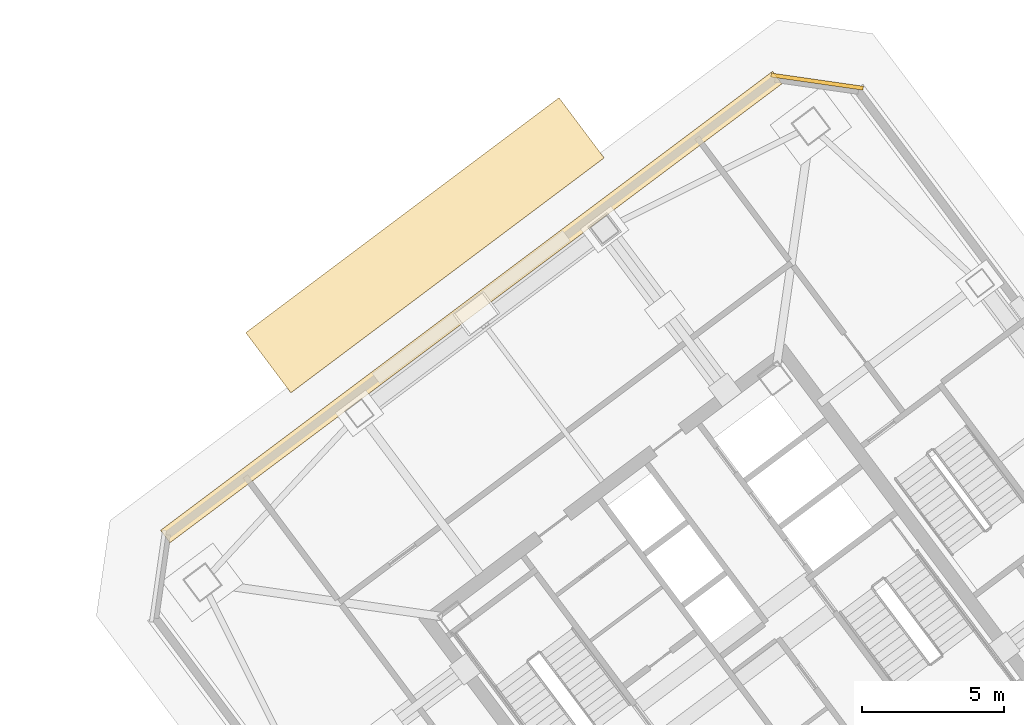
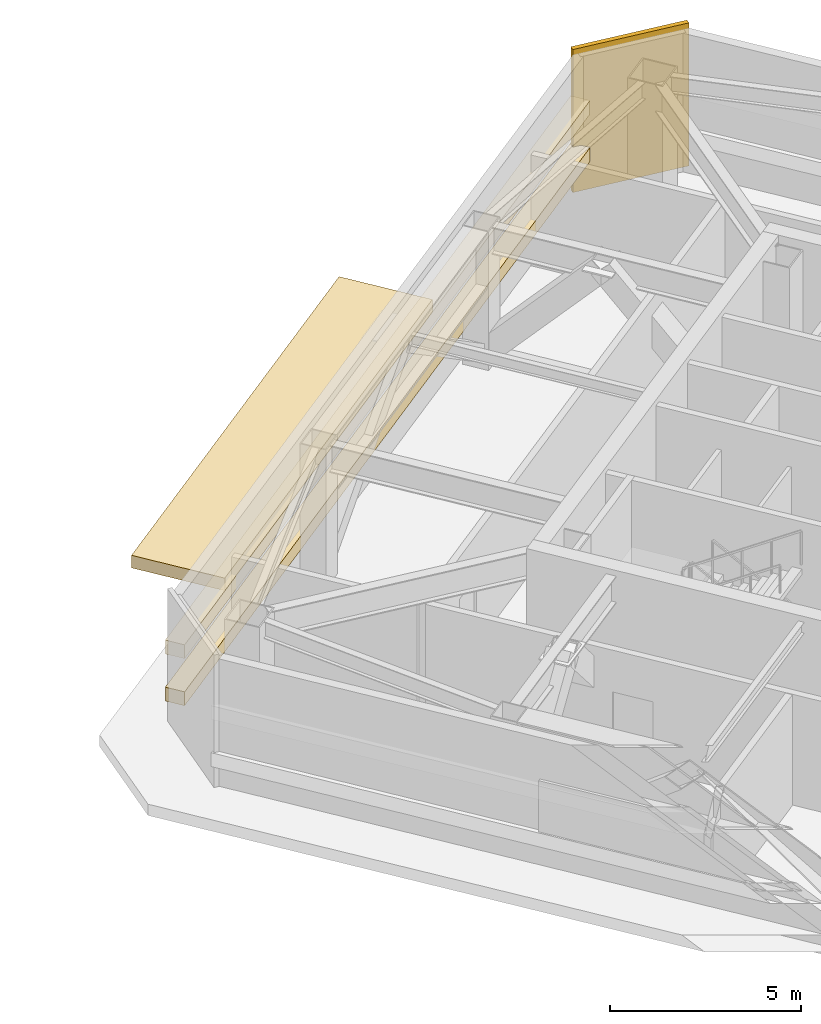
# One storey, part 15 of 15: 4 coverings.
"""IFC4 building model written with IfcOpenShell, lengths in metres."""

from ifc_helpers import new_model, si_unit, direction, frame, origin, origin_2d, place, context, subcontext, project, spatial, rectangle, extrude, material, layer, layer_set, type_object, element, save


model = new_model("IFC4")

# Units and contexts
model_context = context("Model", 3, precision=1e-05, world=origin(), true_north=direction((0.0, 1.0)))
body_context = subcontext(model_context, "Body", "Model", "MODEL_VIEW")
ifc_project = project(units=[si_unit("LENGTHUNIT", "METRE"), si_unit("AREAUNIT", "SQUARE_METRE"), si_unit("VOLUMEUNIT", "CUBIC_METRE"), si_unit("PLANEANGLEUNIT", "RADIAN"), si_unit("MASSUNIT", "GRAM", prefix="KILO")], contexts=[model_context])

# Site, building, storey
site_placement = place(None, origin())
site = spatial("IfcSite", under=ifc_project, at=site_placement, CompositionType="ELEMENT")
building_placement = place(site_placement, origin())
building = spatial("IfcBuilding", under=site, at=building_placement, Name="Tashvorn Skyway Center", CompositionType="ELEMENT")
storey_placement = place(building_placement, frame((0.0, 0.0, 199.60009765625)))
storey = spatial("IfcBuildingStorey", under=building, at=storey_placement, Name="L54", CompositionType="ELEMENT", Elevation=199.60009765625)

# Coverings
ifc_material_1 = material(Name="Perforated ceramic-coated bronze aluminium solar screen", Category="aluminium")
ifc_layer_1 = layer(ifc_material_1, 0.85009765625)
ifc_layer_set_1 = layer_set([ifc_layer_1], Name="Perforated ceramic-coated bronze aluminium solar screen")
covering_type_1 = type_object("IfcCoveringType", Name="COV-SOLAR-BAND", PredefinedType="CLADDING", material=ifc_layer_set_1)
for number, where, z_axis, x_axis, name in (
    (1, (104.7119140625, 44.384033203125, 1.030029296875), (0.0, 0.0, 1.0), (0.799999996291, 0.600000004945, 0.0), "Tower 2 L54 North Belt Acoustic Louvre Band 1"),
    (2, (104.7119140625, 44.384033203125, 2.530029296875), (0.0, 0.0, 1.0), (0.799999996291, 0.600000004945, 0.0), "Tower 2 L54 North Belt Acoustic Louvre Band 2"),
):
    element("IfcCovering", number, at=place(storey_placement, frame(where, z_axis=z_axis, x_axis=x_axis)), inside=storey, type_object=covering_type_1, Name=name, PredefinedType="CLADDING", context=body_context, shape_type="SweptSolid", body=[
        extrude(rectangle(XDim=26.9599609375, YDim=0.550048828125, at=origin_2d()), origin(), (0.0, 0.0, 1.0), 0.43994140625),
    ])
ifc_material_2 = material(Name="Precast concrete C40/50", Category="concrete")
ifc_layer_2 = layer(ifc_material_2, 0.35009765625)
ifc_layer_set_2 = layer_set([ifc_layer_2], Name="Precast concrete C40/50")
covering_type_2 = type_object("IfcCoveringType", Name="COV-STONE-TRIM", PredefinedType="CLADDING", material=ifc_layer_set_2)
covering_1_placement = place(storey_placement, frame((103.080078125, 46.56005859375, 0.0), z_axis=(0.0, 0.0, 1.0), x_axis=(0.799999996291, 0.600000004945, 0.0)))
element("IfcCovering", 3, at=covering_1_placement, inside=storey, type_object=covering_type_2, Name="Tower 2 L53 Sky Garden Terracotta Canopy Hood", PredefinedType="CLADDING", context=body_context, shape_type="SweptSolid", body=[
    extrude(rectangle(XDim=13.800048828125, YDim=2.64990234375, at=origin_2d()), origin(), (0.0, 0.0, 1.0), 0.39990234375),
])
covering_2_placement = place(storey_placement, frame((116.904052734375, 52.327880859375, 0.019775390625), z_axis=(0.0, 0.0, 1.0), x_axis=(0.989949494535, -0.141421350118, 0.0)))
element("IfcCovering", 4, at=covering_2_placement, inside=storey, type_object=covering_type_2, Name="Tower 2 L54 NE Mojave Limestone Corner Quoin", PredefinedType="CLADDING", context=body_context, shape_type="SweptSolid", body=[
    extrude(rectangle(XDim=3.271240234375, YDim=0.139892578125, at=origin_2d()), origin(), (0.0, 0.0, 1.0), 4.56005859375),
])

save(model, "model.ifc")
